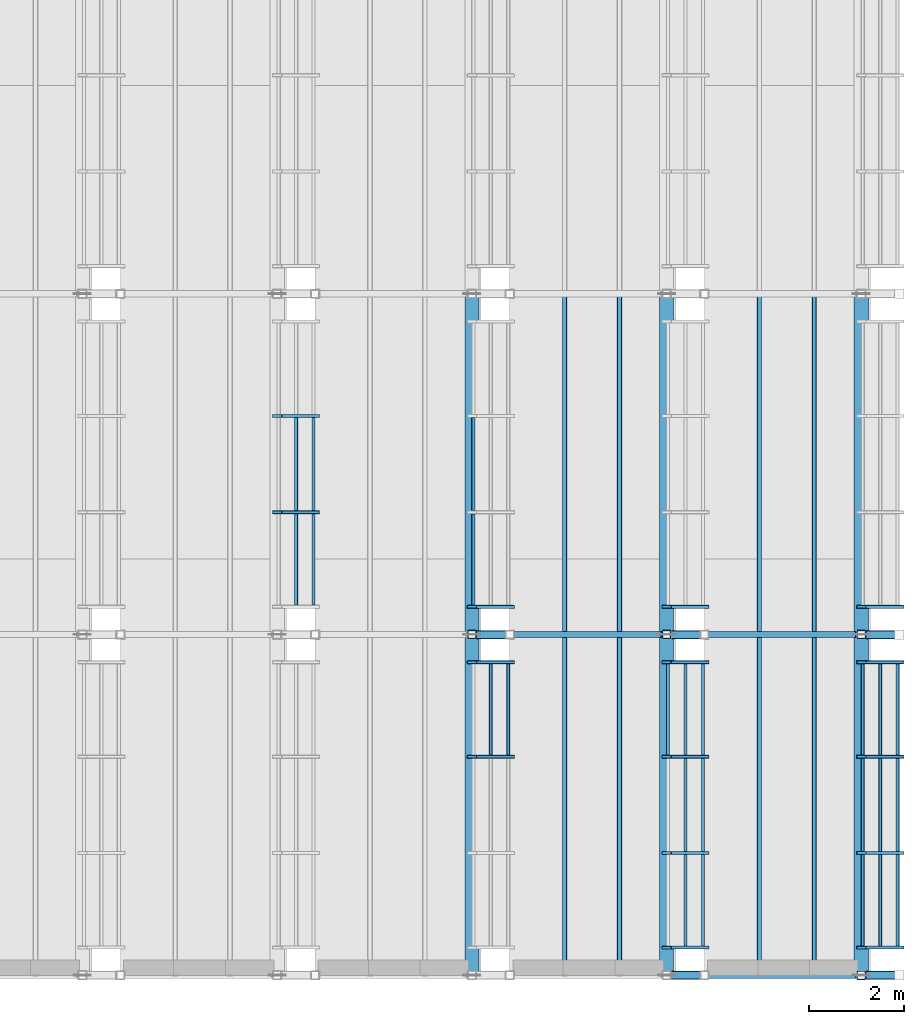
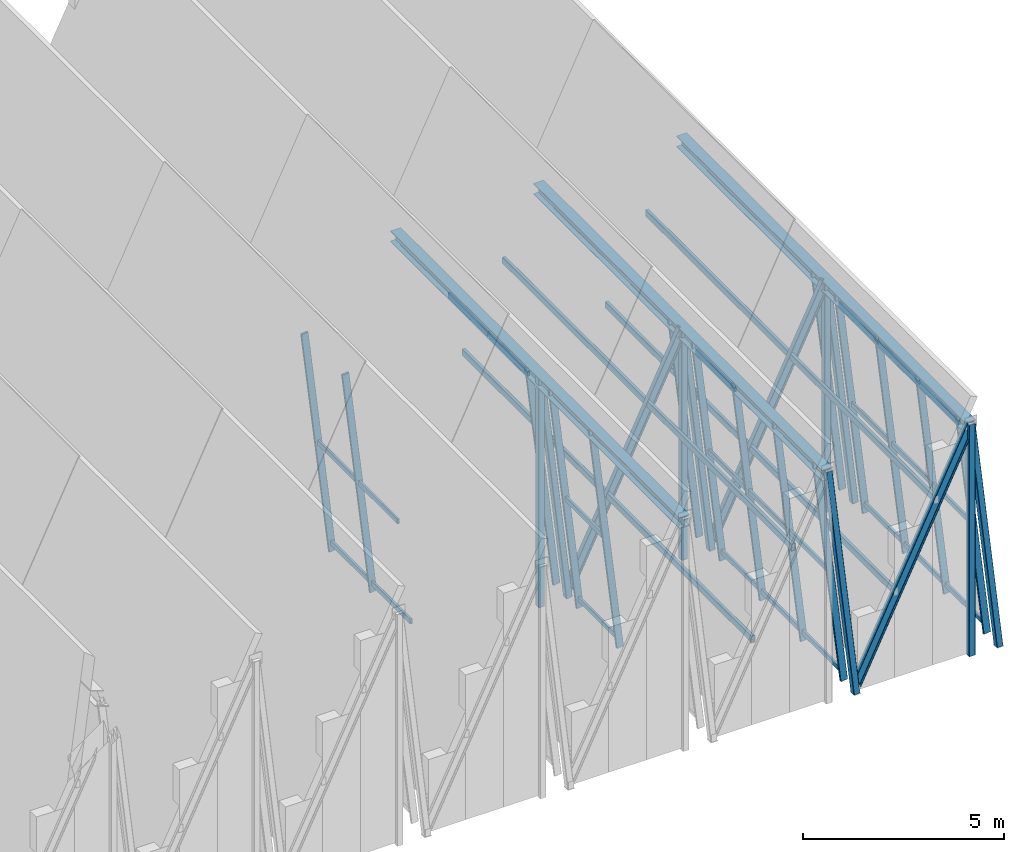
# One storey, part 4 of 28: 55 members, 3 beams, 7 elements without a shape of their own.
"""IFC4 building model written with IfcOpenShell, lengths in metres."""

from ifc_helpers import new_model, si_unit, direction, frame, origin, origin_2d, place, context, subcontext, project, spatial, hollow_rectangle, i_section, extrude, material, material_profile, profile_set, type_object, element, aggregate, save


model = new_model("IFC4")

# Units and contexts
model_context = context("Model", 3, precision=1e-05, world=origin(), true_north=direction((0.0, 1.0)))
body_context = subcontext(model_context, "Body", "Model", "MODEL_VIEW")
ifc_project = project(units=[si_unit("LENGTHUNIT", "METRE"), si_unit("AREAUNIT", "SQUARE_METRE"), si_unit("VOLUMEUNIT", "CUBIC_METRE"), si_unit("PLANEANGLEUNIT", "RADIAN"), si_unit("MASSUNIT", "GRAM", prefix="KILO")], contexts=[model_context])

# Site, building, storey
site_placement = place(None, origin())
site = spatial("IfcSite", under=ifc_project, at=site_placement, CompositionType="ELEMENT")
building_placement = place(site_placement, origin())
building = spatial("IfcBuilding", under=site, at=building_placement, Name="Bramveld Media Centre", CompositionType="ELEMENT")
storey_placement = place(building_placement, frame((0.0, 0.0, 33.89990234375)))
storey = spatial("IfcBuildingStorey", under=building, at=storey_placement, Name="ROOF", CompositionType="ELEMENT", Elevation=33.89990234375)

# Curtain wall, members
ifc_material_1 = material(Name="Thermally broken anodized bronze aluminium unitized curtain wall with solar-control triple glazing", Category="aluminium")
curtain_wall_type = type_object("IfcCurtainWallType", Name="CW-CRN-6100x6941", PredefinedType="NOTDEFINED", material=ifc_material_1)
curtain_wall_1_placement = place(storey_placement, origin())
curtain_wall_1 = element("IfcCurtainWall", 1, at=curtain_wall_1_placement, inside=storey, type_object=curtain_wall_type, Name="V7 crown clerestory B4-S2", PredefinedType="NOTDEFINED")
ifc_material_2 = material(Name="Thermally broken anodized bronze aluminium EN AW-6063 T6 curtain-wall framing", Category="aluminium")
ifc_material_profile_1 = material_profile(ifc_material_2, hollow_rectangle(XDim=0.070068359375, YDim=0.199951171875, WallThickness=0.00439453125, InnerFilletRadius=0.00439453125, OuterFilletRadius=0.009033203125, at=origin_2d()), Name="AL-MULL 70x200")
ifc_profile_set_1 = profile_set([ifc_material_profile_1], Name="Thermally broken anodized bronze aluminium EN AW-6063 T6 curtain-wall framing")
member_type_1 = type_object("IfcMemberType", Name="CW-MULL-SLP", PredefinedType="MULLION", material=ifc_profile_set_1)
member_1_placement = place(storey_placement, frame((147.656982421875, 92.9833984375, -0.02001953125), z_axis=(-0.115228868081, 0.0, 0.993338969315), x_axis=(0.0, -1.0, 0.0)))
member_1 = element("IfcMember", 2, at=member_1_placement, type_object=member_type_1, Name="CW-CR-6169 sloped mullion 2", PredefinedType="MULLION", context=body_context, shape_type="SweptSolid", body=[
    extrude(hollow_rectangle(XDim=0.070068359375, YDim=0.199951171875, WallThickness=0.00439453125, InnerFilletRadius=0.00439453125, OuterFilletRadius=0.009033203125, at=origin_2d()), origin(), (0.0, 0.0, 1.0), 6.94091796875),
])
member_2_placement = place(storey_placement, frame((147.656982421875, 95.0166015625, -0.02001953125), z_axis=(-0.115228868081, 0.0, 0.993338969315), x_axis=(0.0, -1.0, 0.0)))
member_2 = element("IfcMember", 3, at=member_2_placement, type_object=member_type_1, Name="CW-CR-6169 sloped mullion 3", PredefinedType="MULLION", context=body_context, shape_type="SweptSolid", body=[
    extrude(hollow_rectangle(XDim=0.070068359375, YDim=0.199951171875, WallThickness=0.00439453125, InnerFilletRadius=0.00439453125, OuterFilletRadius=0.009033203125, at=origin_2d()), origin(), (0.0, 0.0, 1.0), 6.94091796875),
])

curtain_wall_2_placement = place(storey_placement, origin())
curtain_wall_2 = element("IfcCurtainWall", 4, at=curtain_wall_2_placement, inside=storey, type_object=curtain_wall_type, Name="V7 crown clerestory B5-S1", PredefinedType="NOTDEFINED")
member_3_placement = place(storey_placement, frame((151.771484375, 87.816650390625, -0.02001953125), z_axis=(-0.115263574492, 0.0, 0.993334942703), x_axis=(0.0, -1.0, 0.0)))
member_3 = element("IfcMember", 5, at=member_3_placement, type_object=member_type_1, Name="CW-CR-6169 sloped mullion 3", PredefinedType="MULLION", context=body_context, shape_type="SweptSolid", body=[
    extrude(hollow_rectangle(XDim=0.070068359375, YDim=0.199951171875, WallThickness=0.00439453125, InnerFilletRadius=0.00439453125, OuterFilletRadius=0.009033203125, at=origin_2d()), origin(), (0.0, 0.0, 1.0), 6.94091796875),
])
member_4_placement = place(storey_placement, frame((151.771484375, 89.81494140625, -0.02001953125), z_axis=(-0.115263574492, 0.0, 0.993334942703), x_axis=(0.0, -1.0, 0.0)))
member_4 = element("IfcMember", 6, at=member_4_placement, type_object=member_type_1, Name="CW-CR-6169 sloped mullion 4", PredefinedType="MULLION", context=body_context, shape_type="SweptSolid", body=[
    extrude(hollow_rectangle(XDim=0.070068359375, YDim=0.199951171875, WallThickness=0.00439453125, InnerFilletRadius=0.00439453125, OuterFilletRadius=0.009033203125, at=origin_2d()), origin(), (0.0, 0.0, 1.0), 6.94091796875),
])

# Curtain wall, member
curtain_wall_3_placement = place(storey_placement, origin())
curtain_wall_3 = element("IfcCurtainWall", 7, at=curtain_wall_3_placement, inside=storey, type_object=curtain_wall_type, Name="V7 crown clerestory B5-S2", PredefinedType="NOTDEFINED")
member_5_placement = place(storey_placement, frame((151.771484375, 90.985107421875, -0.02001953125), z_axis=(-0.115263574492, 0.0, 0.993334942703), x_axis=(0.0, -1.0, 0.0)))
member_5 = element("IfcMember", 8, at=member_5_placement, type_object=member_type_1, Name="CW-CR-6169 sloped mullion 1", PredefinedType="MULLION", context=body_context, shape_type="SweptSolid", body=[
    extrude(hollow_rectangle(XDim=0.070068359375, YDim=0.199951171875, WallThickness=0.00439453125, InnerFilletRadius=0.00439453125, OuterFilletRadius=0.009033203125, at=origin_2d()), origin(), (0.0, 0.0, 1.0), 6.94091796875),
])

# Curtain wall, members
curtain_wall_4_placement = place(storey_placement, origin())
curtain_wall_4 = element("IfcCurtainWall", 9, at=curtain_wall_4_placement, inside=storey, type_object=curtain_wall_type, Name="V7 crown clerestory B6-S1", PredefinedType="NOTDEFINED")
member_6_placement = place(storey_placement, frame((155.8857421875, 83.784912109375, -0.02001953125), z_axis=(-0.115263574492, 0.0, 0.993334942703), x_axis=(0.0, -1.0, 0.0)))
member_6 = element("IfcMember", 10, at=member_6_placement, type_object=member_type_1, Name="CW-CR-6169 sloped mullion 1", PredefinedType="MULLION", context=body_context, shape_type="SweptSolid", body=[
    extrude(hollow_rectangle(XDim=0.070068359375, YDim=0.199951171875, WallThickness=0.00439453125, InnerFilletRadius=0.00439453125, OuterFilletRadius=0.009033203125, at=origin_2d()), origin(), (0.0, 0.0, 1.0), 6.94091796875),
])
member_7_placement = place(storey_placement, frame((155.8857421875, 85.783203125, -0.02001953125), z_axis=(-0.115263574492, 0.0, 0.993334942703), x_axis=(0.0, -1.0, 0.0)))
member_7 = element("IfcMember", 11, at=member_7_placement, type_object=member_type_1, Name="CW-CR-6169 sloped mullion 2", PredefinedType="MULLION", context=body_context, shape_type="SweptSolid", body=[
    extrude(hollow_rectangle(XDim=0.070068359375, YDim=0.199951171875, WallThickness=0.00439453125, InnerFilletRadius=0.00439453125, OuterFilletRadius=0.009033203125, at=origin_2d()), origin(), (0.0, 0.0, 1.0), 6.94091796875),
])
member_8_placement = place(storey_placement, frame((155.8857421875, 87.816650390625, -0.02001953125), z_axis=(-0.115263574492, 0.0, 0.993334942703), x_axis=(0.0, -1.0, 0.0)))
member_8 = element("IfcMember", 12, at=member_8_placement, type_object=member_type_1, Name="CW-CR-6169 sloped mullion 3", PredefinedType="MULLION", context=body_context, shape_type="SweptSolid", body=[
    extrude(hollow_rectangle(XDim=0.070068359375, YDim=0.199951171875, WallThickness=0.00439453125, InnerFilletRadius=0.00439453125, OuterFilletRadius=0.009033203125, at=origin_2d()), origin(), (0.0, 0.0, 1.0), 6.94091796875),
])
member_9_placement = place(storey_placement, frame((155.8857421875, 89.81494140625, -0.02001953125), z_axis=(-0.115263574492, 0.0, 0.993334942703), x_axis=(0.0, -1.0, 0.0)))
member_9 = element("IfcMember", 13, at=member_9_placement, type_object=member_type_1, Name="CW-CR-6169 sloped mullion 4", PredefinedType="MULLION", context=body_context, shape_type="SweptSolid", body=[
    extrude(hollow_rectangle(XDim=0.070068359375, YDim=0.199951171875, WallThickness=0.00439453125, InnerFilletRadius=0.00439453125, OuterFilletRadius=0.009033203125, at=origin_2d()), origin(), (0.0, 0.0, 1.0), 6.94091796875),
])

# Curtain wall, member
curtain_wall_5_placement = place(storey_placement, origin())
curtain_wall_5 = element("IfcCurtainWall", 14, at=curtain_wall_5_placement, inside=storey, type_object=curtain_wall_type, Name="V7 crown clerestory B6-S2", PredefinedType="NOTDEFINED")
member_10_placement = place(storey_placement, frame((155.8857421875, 90.985107421875, -0.02001953125), z_axis=(-0.115263574492, 0.0, 0.993334942703), x_axis=(0.0, -1.0, 0.0)))
member_10 = element("IfcMember", 15, at=member_10_placement, type_object=member_type_1, Name="CW-CR-6169 sloped mullion 1", PredefinedType="MULLION", context=body_context, shape_type="SweptSolid", body=[
    extrude(hollow_rectangle(XDim=0.070068359375, YDim=0.199951171875, WallThickness=0.00439453125, InnerFilletRadius=0.00439453125, OuterFilletRadius=0.009033203125, at=origin_2d()), origin(), (0.0, 0.0, 1.0), 6.94091796875),
])
aggregate(curtain_wall_5, [member_10])

# Curtain wall, members
curtain_wall_6_placement = place(storey_placement, origin())
curtain_wall_6 = element("IfcCurtainWall", 16, at=curtain_wall_6_placement, inside=storey, type_object=curtain_wall_type, Name="V7 crown clerestory B7-S1", PredefinedType="NOTDEFINED")
member_11_placement = place(storey_placement, frame((160.0, 83.784912109375, -0.02001953125), z_axis=(-0.115263574492, 0.0, 0.993334942703), x_axis=(0.0, -1.0, 0.0)))
member_11 = element("IfcMember", 17, at=member_11_placement, type_object=member_type_1, Name="CW-CR-6169 sloped mullion 1", PredefinedType="MULLION", context=body_context, shape_type="SweptSolid", body=[
    extrude(hollow_rectangle(XDim=0.070068359375, YDim=0.199951171875, WallThickness=0.00439453125, InnerFilletRadius=0.00439453125, OuterFilletRadius=0.009033203125, at=origin_2d()), origin(), (0.0, 0.0, 1.0), 6.94091796875),
])
member_12_placement = place(storey_placement, frame((160.0, 85.783203125, -0.02001953125), z_axis=(-0.115263574492, 0.0, 0.993334942703), x_axis=(0.0, -1.0, 0.0)))
member_12 = element("IfcMember", 18, at=member_12_placement, type_object=member_type_1, Name="CW-CR-6169 sloped mullion 2", PredefinedType="MULLION", context=body_context, shape_type="SweptSolid", body=[
    extrude(hollow_rectangle(XDim=0.070068359375, YDim=0.199951171875, WallThickness=0.00439453125, InnerFilletRadius=0.00439453125, OuterFilletRadius=0.009033203125, at=origin_2d()), origin(), (0.0, 0.0, 1.0), 6.94091796875),
])
member_13_placement = place(storey_placement, frame((160.0, 87.816650390625, -0.02001953125), z_axis=(-0.115263574492, 0.0, 0.993334942703), x_axis=(0.0, -1.0, 0.0)))
member_13 = element("IfcMember", 19, at=member_13_placement, type_object=member_type_1, Name="CW-CR-6169 sloped mullion 3", PredefinedType="MULLION", context=body_context, shape_type="SweptSolid", body=[
    extrude(hollow_rectangle(XDim=0.070068359375, YDim=0.199951171875, WallThickness=0.00439453125, InnerFilletRadius=0.00439453125, OuterFilletRadius=0.009033203125, at=origin_2d()), origin(), (0.0, 0.0, 1.0), 6.94091796875),
])
member_14_placement = place(storey_placement, frame((160.0, 89.81494140625, -0.02001953125), z_axis=(-0.115263574492, 0.0, 0.993334942703), x_axis=(0.0, -1.0, 0.0)))
member_14 = element("IfcMember", 20, at=member_14_placement, type_object=member_type_1, Name="CW-CR-6169 sloped mullion 4", PredefinedType="MULLION", context=body_context, shape_type="SweptSolid", body=[
    extrude(hollow_rectangle(XDim=0.070068359375, YDim=0.199951171875, WallThickness=0.00439453125, InnerFilletRadius=0.00439453125, OuterFilletRadius=0.009033203125, at=origin_2d()), origin(), (0.0, 0.0, 1.0), 6.94091796875),
])

# Curtain wall, member
curtain_wall_7_placement = place(storey_placement, origin())
curtain_wall_7 = element("IfcCurtainWall", 21, at=curtain_wall_7_placement, inside=storey, type_object=curtain_wall_type, Name="V7 crown clerestory B7-S2", PredefinedType="NOTDEFINED")
member_15_placement = place(storey_placement, frame((160.0, 90.985107421875, -0.02001953125), z_axis=(-0.115263574492, 0.0, 0.993334942703), x_axis=(0.0, -1.0, 0.0)))
member_15 = element("IfcMember", 22, at=member_15_placement, type_object=member_type_1, Name="CW-CR-6169 sloped mullion 1", PredefinedType="MULLION", context=body_context, shape_type="SweptSolid", body=[
    extrude(hollow_rectangle(XDim=0.070068359375, YDim=0.199951171875, WallThickness=0.00439453125, InnerFilletRadius=0.00439453125, OuterFilletRadius=0.009033203125, at=origin_2d()), origin(), (0.0, 0.0, 1.0), 6.94091796875),
])
aggregate(curtain_wall_7, [member_15])

# Member
ifc_material_3 = material(Name="Thermally broken anodized bronze aluminium EN AW-6063 T6 curtain-wall framing", Category="aluminium")
ifc_material_profile_2 = material_profile(ifc_material_3, hollow_rectangle(XDim=0.070068359375, YDim=0.14990234375, WallThickness=0.00390625, InnerFilletRadius=0.00390625, OuterFilletRadius=0.008056640625, at=origin_2d()), Name="AL-TRAN 70x150")
ifc_profile_set_2 = profile_set([ifc_material_profile_2], Name="Thermally broken anodized bronze aluminium EN AW-6063 T6 curtain-wall framing")
member_type_2 = type_object("IfcMemberType", Name="CW-TRAN-SLP", PredefinedType="USERDEFINED", material=ifc_profile_set_2)
member_16_placement = place(storey_placement, frame((147.625, 91.02001953125, 0.255859375), z_axis=(0.0, 1.0, 0.0), x_axis=(-1.0, 0.0, 0.0)))
member_16 = element("IfcMember", 23, at=member_16_placement, type_object=member_type_2, Name="CW-CR-6169 transom 1.1", ObjectType="TRANSOM", PredefinedType="USERDEFINED", context=body_context, shape_type="SweptSolid", body=[
    extrude(hollow_rectangle(XDim=0.070068359375, YDim=0.14990234375, WallThickness=0.00390625, InnerFilletRadius=0.00390625, OuterFilletRadius=0.008056640625, at=origin_2d()), origin(), (0.0, 0.0, 1.0), 1.92822265625),
])

member_17_placement = place(storey_placement, frame((147.257080078125, 91.02001953125, 3.427490234375), z_axis=(0.0, 1.0, 0.0), x_axis=(-1.0, 0.0, 0.0)))
member_17 = element("IfcMember", 24, at=member_17_placement, type_object=member_type_2, Name="CW-CR-6169 transom 1.2", ObjectType="TRANSOM", PredefinedType="USERDEFINED", context=body_context, shape_type="SweptSolid", body=[
    extrude(hollow_rectangle(XDim=0.070068359375, YDim=0.14990234375, WallThickness=0.00390625, InnerFilletRadius=0.00390625, OuterFilletRadius=0.008056640625, at=origin_2d()), origin(), (0.0, 0.0, 1.0), 1.92822265625),
])

member_18_placement = place(storey_placement, frame((147.625, 93.018310546875, 0.255859375), z_axis=(0.0, 1.0, 0.0), x_axis=(-1.0, 0.0, 0.0)))
member_18 = element("IfcMember", 25, at=member_18_placement, type_object=member_type_2, Name="CW-CR-6169 transom 2.1", ObjectType="TRANSOM", PredefinedType="USERDEFINED", context=body_context, shape_type="SweptSolid", body=[
    extrude(hollow_rectangle(XDim=0.070068359375, YDim=0.14990234375, WallThickness=0.00390625, InnerFilletRadius=0.00390625, OuterFilletRadius=0.008056640625, at=origin_2d()), origin(), (0.0, 0.0, 1.0), 1.96337890625),
])

member_19_placement = place(storey_placement, frame((147.257080078125, 93.018310546875, 3.427490234375), z_axis=(0.0, 1.0, 0.0), x_axis=(-1.0, 0.0, 0.0)))
member_19 = element("IfcMember", 26, at=member_19_placement, type_object=member_type_2, Name="CW-CR-6169 transom 2.2", ObjectType="TRANSOM", PredefinedType="USERDEFINED", context=body_context, shape_type="SweptSolid", body=[
    extrude(hollow_rectangle(XDim=0.070068359375, YDim=0.14990234375, WallThickness=0.00390625, InnerFilletRadius=0.00390625, OuterFilletRadius=0.008056640625, at=origin_2d()), origin(), (0.0, 0.0, 1.0), 1.96337890625),
])

aggregate(curtain_wall_1, [member_1, member_2, member_16, member_17, member_18, member_19])

member_20_placement = place(storey_placement, frame((151.739501953125, 87.851806640625, 0.255859375), z_axis=(0.0, 1.0, 0.0), x_axis=(-1.0, 0.0, 0.0)))
member_20 = element("IfcMember", 27, at=member_20_placement, type_object=member_type_2, Name="CW-CR-6169 transom 3.1", ObjectType="TRANSOM", PredefinedType="USERDEFINED", context=body_context, shape_type="SweptSolid", body=[
    extrude(hollow_rectangle(XDim=0.070068359375, YDim=0.14990234375, WallThickness=0.00390625, InnerFilletRadius=0.00390625, OuterFilletRadius=0.008056640625, at=origin_2d()), origin(), (0.0, 0.0, 1.0), 1.92822265625),
])

member_21_placement = place(storey_placement, frame((151.371337890625, 87.851806640625, 3.427490234375), z_axis=(0.0, 1.0, 0.0), x_axis=(-1.0, 0.0, 0.0)))
member_21 = element("IfcMember", 28, at=member_21_placement, type_object=member_type_2, Name="CW-CR-6169 transom 3.2", ObjectType="TRANSOM", PredefinedType="USERDEFINED", context=body_context, shape_type="SweptSolid", body=[
    extrude(hollow_rectangle(XDim=0.070068359375, YDim=0.14990234375, WallThickness=0.00390625, InnerFilletRadius=0.00390625, OuterFilletRadius=0.008056640625, at=origin_2d()), origin(), (0.0, 0.0, 1.0), 1.92822265625),
])

aggregate(curtain_wall_2, [member_3, member_4, member_20, member_21])

member_22_placement = place(storey_placement, frame((151.00341796875, 91.02001953125, 6.598876953125), z_axis=(0.0, 1.0, 0.0), x_axis=(-1.0, 0.0, 0.0)))
member_22 = element("IfcMember", 29, at=member_22_placement, type_object=member_type_2, Name="CW-CR-6169 transom 1.3", ObjectType="TRANSOM", PredefinedType="USERDEFINED", context=body_context, shape_type="SweptSolid", body=[
    extrude(hollow_rectangle(XDim=0.070068359375, YDim=0.14990234375, WallThickness=0.00390625, InnerFilletRadius=0.00390625, OuterFilletRadius=0.008056640625, at=origin_2d()), origin(), (0.0, 0.0, 1.0), 1.92822265625),
])

member_23_placement = place(storey_placement, frame((151.00341796875, 93.018310546875, 6.598876953125), z_axis=(0.0, 1.0, 0.0), x_axis=(-1.0, 0.0, 0.0)))
member_23 = element("IfcMember", 30, at=member_23_placement, type_object=member_type_2, Name="CW-CR-6169 transom 2.3", ObjectType="TRANSOM", PredefinedType="USERDEFINED", context=body_context, shape_type="SweptSolid", body=[
    extrude(hollow_rectangle(XDim=0.070068359375, YDim=0.14990234375, WallThickness=0.00390625, InnerFilletRadius=0.00390625, OuterFilletRadius=0.008056640625, at=origin_2d()), origin(), (0.0, 0.0, 1.0), 1.96337890625),
])

aggregate(curtain_wall_3, [member_5, member_22, member_23])

member_24_placement = place(storey_placement, frame((155.853759765625, 83.820068359375, 0.255859375), z_axis=(0.0, 1.0, 0.0), x_axis=(-1.0, 0.0, 0.0)))
member_24 = element("IfcMember", 31, at=member_24_placement, type_object=member_type_2, Name="CW-CR-6169 transom 1.1", ObjectType="TRANSOM", PredefinedType="USERDEFINED", context=body_context, shape_type="SweptSolid", body=[
    extrude(hollow_rectangle(XDim=0.070068359375, YDim=0.14990234375, WallThickness=0.00390625, InnerFilletRadius=0.00390625, OuterFilletRadius=0.008056640625, at=origin_2d()), origin(), (0.0, 0.0, 1.0), 1.92822265625),
])

member_25_placement = place(storey_placement, frame((155.485595703125, 83.820068359375, 3.427490234375), z_axis=(0.0, 1.0, 0.0), x_axis=(-1.0, 0.0, 0.0)))
member_25 = element("IfcMember", 32, at=member_25_placement, type_object=member_type_2, Name="CW-CR-6169 transom 1.2", ObjectType="TRANSOM", PredefinedType="USERDEFINED", context=body_context, shape_type="SweptSolid", body=[
    extrude(hollow_rectangle(XDim=0.070068359375, YDim=0.14990234375, WallThickness=0.00390625, InnerFilletRadius=0.00390625, OuterFilletRadius=0.008056640625, at=origin_2d()), origin(), (0.0, 0.0, 1.0), 1.92822265625),
])

member_26_placement = place(storey_placement, frame((155.853759765625, 85.818359375, 0.255859375), z_axis=(0.0, 1.0, 0.0), x_axis=(-1.0, 0.0, 0.0)))
member_26 = element("IfcMember", 33, at=member_26_placement, type_object=member_type_2, Name="CW-CR-6169 transom 2.1", ObjectType="TRANSOM", PredefinedType="USERDEFINED", context=body_context, shape_type="SweptSolid", body=[
    extrude(hollow_rectangle(XDim=0.070068359375, YDim=0.14990234375, WallThickness=0.00390625, InnerFilletRadius=0.00390625, OuterFilletRadius=0.008056640625, at=origin_2d()), origin(), (0.0, 0.0, 1.0), 1.96337890625),
])

member_27_placement = place(storey_placement, frame((155.485595703125, 85.818359375, 3.427490234375), z_axis=(0.0, 1.0, 0.0), x_axis=(-1.0, 0.0, 0.0)))
member_27 = element("IfcMember", 34, at=member_27_placement, type_object=member_type_2, Name="CW-CR-6169 transom 2.2", ObjectType="TRANSOM", PredefinedType="USERDEFINED", context=body_context, shape_type="SweptSolid", body=[
    extrude(hollow_rectangle(XDim=0.070068359375, YDim=0.14990234375, WallThickness=0.00390625, InnerFilletRadius=0.00390625, OuterFilletRadius=0.008056640625, at=origin_2d()), origin(), (0.0, 0.0, 1.0), 1.96337890625),
])

member_28_placement = place(storey_placement, frame((155.853759765625, 87.851806640625, 0.255859375), z_axis=(0.0, 1.0, 0.0), x_axis=(-1.0, 0.0, 0.0)))
member_28 = element("IfcMember", 35, at=member_28_placement, type_object=member_type_2, Name="CW-CR-6169 transom 3.1", ObjectType="TRANSOM", PredefinedType="USERDEFINED", context=body_context, shape_type="SweptSolid", body=[
    extrude(hollow_rectangle(XDim=0.070068359375, YDim=0.14990234375, WallThickness=0.00390625, InnerFilletRadius=0.00390625, OuterFilletRadius=0.008056640625, at=origin_2d()), origin(), (0.0, 0.0, 1.0), 1.92822265625),
])

member_29_placement = place(storey_placement, frame((155.485595703125, 87.851806640625, 3.427490234375), z_axis=(0.0, 1.0, 0.0), x_axis=(-1.0, 0.0, 0.0)))
member_29 = element("IfcMember", 36, at=member_29_placement, type_object=member_type_2, Name="CW-CR-6169 transom 3.2", ObjectType="TRANSOM", PredefinedType="USERDEFINED", context=body_context, shape_type="SweptSolid", body=[
    extrude(hollow_rectangle(XDim=0.070068359375, YDim=0.14990234375, WallThickness=0.00390625, InnerFilletRadius=0.00390625, OuterFilletRadius=0.008056640625, at=origin_2d()), origin(), (0.0, 0.0, 1.0), 1.92822265625),
])

member_30_placement = place(storey_placement, frame((155.11767578125, 87.851806640625, 6.598876953125), z_axis=(0.0, 1.0, 0.0), x_axis=(-1.0, 0.0, 0.0)))
member_30 = element("IfcMember", 37, at=member_30_placement, type_object=member_type_2, Name="CW-CR-6169 transom 3.3", ObjectType="TRANSOM", PredefinedType="USERDEFINED", context=body_context, shape_type="SweptSolid", body=[
    extrude(hollow_rectangle(XDim=0.070068359375, YDim=0.14990234375, WallThickness=0.00390625, InnerFilletRadius=0.00390625, OuterFilletRadius=0.008056640625, at=origin_2d()), origin(), (0.0, 0.0, 1.0), 1.92822265625),
])

aggregate(curtain_wall_4, [member_6, member_7, member_8, member_9, member_24, member_25, member_26, member_27, member_28, member_29, member_30])

member_31_placement = place(storey_placement, frame((159.968017578125, 83.820068359375, 0.255859375), z_axis=(0.0, 1.0, 0.0), x_axis=(-1.0, 0.0, 0.0)))
member_31 = element("IfcMember", 38, at=member_31_placement, type_object=member_type_2, Name="CW-CR-6169 transom 1.1", ObjectType="TRANSOM", PredefinedType="USERDEFINED", context=body_context, shape_type="SweptSolid", body=[
    extrude(hollow_rectangle(XDim=0.070068359375, YDim=0.14990234375, WallThickness=0.00390625, InnerFilletRadius=0.00390625, OuterFilletRadius=0.008056640625, at=origin_2d()), origin(), (0.0, 0.0, 1.0), 1.92822265625),
])

member_32_placement = place(storey_placement, frame((159.60009765625, 83.820068359375, 3.427490234375), z_axis=(0.0, 1.0, 0.0), x_axis=(-1.0, 0.0, 0.0)))
member_32 = element("IfcMember", 39, at=member_32_placement, type_object=member_type_2, Name="CW-CR-6169 transom 1.2", ObjectType="TRANSOM", PredefinedType="USERDEFINED", context=body_context, shape_type="SweptSolid", body=[
    extrude(hollow_rectangle(XDim=0.070068359375, YDim=0.14990234375, WallThickness=0.00390625, InnerFilletRadius=0.00390625, OuterFilletRadius=0.008056640625, at=origin_2d()), origin(), (0.0, 0.0, 1.0), 1.92822265625),
])

member_33_placement = place(storey_placement, frame((159.23193359375, 83.820068359375, 6.598876953125), z_axis=(0.0, 1.0, 0.0), x_axis=(-1.0, 0.0, 0.0)))
member_33 = element("IfcMember", 40, at=member_33_placement, type_object=member_type_2, Name="CW-CR-6169 transom 1.3", ObjectType="TRANSOM", PredefinedType="USERDEFINED", context=body_context, shape_type="SweptSolid", body=[
    extrude(hollow_rectangle(XDim=0.070068359375, YDim=0.14990234375, WallThickness=0.00390625, InnerFilletRadius=0.00390625, OuterFilletRadius=0.008056640625, at=origin_2d()), origin(), (0.0, 0.0, 1.0), 1.92822265625),
])

member_34_placement = place(storey_placement, frame((159.968017578125, 85.818359375, 0.255859375), z_axis=(0.0, 1.0, 0.0), x_axis=(-1.0, 0.0, 0.0)))
member_34 = element("IfcMember", 41, at=member_34_placement, type_object=member_type_2, Name="CW-CR-6169 transom 2.1", ObjectType="TRANSOM", PredefinedType="USERDEFINED", context=body_context, shape_type="SweptSolid", body=[
    extrude(hollow_rectangle(XDim=0.070068359375, YDim=0.14990234375, WallThickness=0.00390625, InnerFilletRadius=0.00390625, OuterFilletRadius=0.008056640625, at=origin_2d()), origin(), (0.0, 0.0, 1.0), 1.96337890625),
])

member_35_placement = place(storey_placement, frame((159.60009765625, 85.818359375, 3.427490234375), z_axis=(0.0, 1.0, 0.0), x_axis=(-1.0, 0.0, 0.0)))
member_35 = element("IfcMember", 42, at=member_35_placement, type_object=member_type_2, Name="CW-CR-6169 transom 2.2", ObjectType="TRANSOM", PredefinedType="USERDEFINED", context=body_context, shape_type="SweptSolid", body=[
    extrude(hollow_rectangle(XDim=0.070068359375, YDim=0.14990234375, WallThickness=0.00390625, InnerFilletRadius=0.00390625, OuterFilletRadius=0.008056640625, at=origin_2d()), origin(), (0.0, 0.0, 1.0), 1.96337890625),
])

member_36_placement = place(storey_placement, frame((159.23193359375, 85.818359375, 6.598876953125), z_axis=(0.0, 1.0, 0.0), x_axis=(-1.0, 0.0, 0.0)))
member_36 = element("IfcMember", 43, at=member_36_placement, type_object=member_type_2, Name="CW-CR-6169 transom 2.3", ObjectType="TRANSOM", PredefinedType="USERDEFINED", context=body_context, shape_type="SweptSolid", body=[
    extrude(hollow_rectangle(XDim=0.070068359375, YDim=0.14990234375, WallThickness=0.00390625, InnerFilletRadius=0.00390625, OuterFilletRadius=0.008056640625, at=origin_2d()), origin(), (0.0, 0.0, 1.0), 1.96337890625),
])

member_37_placement = place(storey_placement, frame((159.968017578125, 87.851806640625, 0.255859375), z_axis=(0.0, 1.0, 0.0), x_axis=(-1.0, 0.0, 0.0)))
member_37 = element("IfcMember", 44, at=member_37_placement, type_object=member_type_2, Name="CW-CR-6169 transom 3.1", ObjectType="TRANSOM", PredefinedType="USERDEFINED", context=body_context, shape_type="SweptSolid", body=[
    extrude(hollow_rectangle(XDim=0.070068359375, YDim=0.14990234375, WallThickness=0.00390625, InnerFilletRadius=0.00390625, OuterFilletRadius=0.008056640625, at=origin_2d()), origin(), (0.0, 0.0, 1.0), 1.92822265625),
])

member_38_placement = place(storey_placement, frame((159.60009765625, 87.851806640625, 3.427490234375), z_axis=(0.0, 1.0, 0.0), x_axis=(-1.0, 0.0, 0.0)))
member_38 = element("IfcMember", 45, at=member_38_placement, type_object=member_type_2, Name="CW-CR-6169 transom 3.2", ObjectType="TRANSOM", PredefinedType="USERDEFINED", context=body_context, shape_type="SweptSolid", body=[
    extrude(hollow_rectangle(XDim=0.070068359375, YDim=0.14990234375, WallThickness=0.00390625, InnerFilletRadius=0.00390625, OuterFilletRadius=0.008056640625, at=origin_2d()), origin(), (0.0, 0.0, 1.0), 1.92822265625),
])

member_39_placement = place(storey_placement, frame((159.23193359375, 87.851806640625, 6.598876953125), z_axis=(0.0, 1.0, 0.0), x_axis=(-1.0, 0.0, 0.0)))
member_39 = element("IfcMember", 46, at=member_39_placement, type_object=member_type_2, Name="CW-CR-6169 transom 3.3", ObjectType="TRANSOM", PredefinedType="USERDEFINED", context=body_context, shape_type="SweptSolid", body=[
    extrude(hollow_rectangle(XDim=0.070068359375, YDim=0.14990234375, WallThickness=0.00390625, InnerFilletRadius=0.00390625, OuterFilletRadius=0.008056640625, at=origin_2d()), origin(), (0.0, 0.0, 1.0), 1.92822265625),
])

aggregate(curtain_wall_6, [member_11, member_12, member_13, member_14, member_31, member_32, member_33, member_34, member_35, member_36, member_37, member_38, member_39])

# Members
ifc_material_4 = material(Name="Steel S355J2H", Category="steel")
ifc_material_profile_3 = material_profile(ifc_material_4, hollow_rectangle(XDim=0.179931640625, YDim=0.179931640625, WallThickness=0.010009765625, InnerFilletRadius=0.010009765625, OuterFilletRadius=0.02001953125, at=origin_2d()), Name="SHS 180x180x10")
ifc_profile_set_3 = profile_set([ifc_material_profile_3], Name="Steel S355J2H")
member_type_3 = type_object("IfcMemberType", Name="MEM-POST-SHS180", PredefinedType="POST", material=ifc_profile_set_3)
for number, where, z_axis, x_axis, name in (
    (47, (150.971435546875, 90.39990234375, -0.0498046875), (0.0, 0.0, 1.0), (1.0, 0.0, 0.0), "CRN-FR-B05-F2 gable kingpost"),
    (48, (155.085693359375, 90.39990234375, -0.0498046875), (0.0, 0.0, 1.0), (1.0, 0.0, 0.0), "CRN-FR-B06-F2 gable kingpost"),
    (49, (159.199951171875, 83.199951171875, -0.0498046875), (0.0, 0.0, 1.0), (1.0, 0.0, 0.0), "CRN-FR-B07-F1 gable kingpost"),
    (50, (159.199951171875, 90.39990234375, -0.0498046875), (0.0, 0.0, 1.0), (1.0, 0.0, 0.0), "CRN-FR-B07-F2 gable kingpost"),
):
    element("IfcMember", number, at=place(storey_placement, frame(where, z_axis=z_axis, x_axis=x_axis)), inside=storey, type_object=member_type_3, Name=name, PredefinedType="POST", context=body_context, shape_type="SweptSolid", body=[
        extrude(hollow_rectangle(XDim=0.179931640625, YDim=0.179931640625, WallThickness=0.010009765625, InnerFilletRadius=0.010009765625, OuterFilletRadius=0.02001953125, at=origin_2d()), origin(), (0.0, 0.0, 1.0), 7.044677734375),
    ])
ifc_material_5 = material(Name="Steel S355J2H", Category="steel")
ifc_material_profile_4 = material_profile(ifc_material_5, hollow_rectangle(XDim=0.10009765625, YDim=0.199951171875, WallThickness=0.008056640625, InnerFilletRadius=0.008056640625, OuterFilletRadius=0.01611328125, at=origin_2d()), Name="RHS 200x100x8")
ifc_profile_set_4 = profile_set([ifc_material_profile_4], Name="Steel S355J2H")
member_type_4 = type_object("IfcMemberType", Name="MEM-PURLIN-RHS200", PredefinedType="PURLIN", material=ifc_profile_set_4)
for number, where, z_axis, x_axis, name in (
    (51, (152.931396484375, 83.199951171875, 2.61083984375), (0.0, 1.0, 0.0), (-1.0, 0.0, 0.0), "V7 crown gable purlin"),
    (52, (154.09130859375, 83.199951171875, 4.997802734375), (0.0, 1.0, 0.0), (-1.0, 0.0, 0.0), "V7 crown gable purlin"),
    (53, (157.045654296875, 83.199951171875, 2.61083984375), (0.0, 1.0, 0.0), (-1.0, 0.0, 0.0), "V7 crown gable purlin"),
    (54, (158.205810546875, 83.199951171875, 4.997802734375), (0.0, 1.0, 0.0), (-1.0, 0.0, 0.0), "V7 crown gable purlin"),
):
    element("IfcMember", number, at=place(storey_placement, frame(where, z_axis=z_axis, x_axis=x_axis)), inside=storey, type_object=member_type_4, Name=name, PredefinedType="PURLIN", context=body_context, shape_type="SweptSolid", body=[
        extrude(hollow_rectangle(XDim=0.10009765625, YDim=0.199951171875, WallThickness=0.008056640625, InnerFilletRadius=0.008056640625, OuterFilletRadius=0.01611328125, at=origin_2d()), origin(), (0.0, 0.0, 1.0), 14.400146484375),
    ])
ifc_material_6 = material(Name="Steel S355J2", Category="steel")
ifc_material_profile_5 = material_profile(ifc_material_6, i_section(OverallWidth=0.135009765625, OverallDepth=0.27001953125, WebThickness=0.006591796875, FlangeThickness=0.01025390625, FilletRadius=0.014892578125, at=origin_2d()), Name="IPE 270")
ifc_profile_set_5 = profile_set([ifc_material_profile_5], Name="Steel S355J2")
member_type_5 = type_object("IfcMemberType", Name="MEM-RAFTER-IPE270", PredefinedType="RAFTER", material=ifc_profile_set_5)
for number, where, z_axis, x_axis, name in (
    (55, (151.771484375, 90.39990234375, 0.1748046875), (0.437075147934, 0.0, 0.899424991347), (0.0, 1.0, 0.0), "CRN-FR-B06-F2 gable rafter"),
    (56, (155.8857421875, 83.199951171875, 0.1748046875), (0.437075147934, 0.0, 0.899424991347), (0.0, 1.0, 0.0), "CRN-FR-B07-F1 gable rafter"),
    (57, (155.8857421875, 90.39990234375, 0.1748046875), (0.437075147934, 0.0, 0.899424991347), (0.0, 1.0, 0.0), "CRN-FR-B07-F2 gable rafter"),
):
    element("IfcMember", number, at=place(storey_placement, frame(where, z_axis=z_axis, x_axis=x_axis)), inside=storey, type_object=member_type_5, Name=name, PredefinedType="RAFTER", context=body_context, shape_type="SweptSolid", body=[
        extrude(i_section(OverallWidth=0.135009765625, OverallDepth=0.27001953125, WebThickness=0.006591796875, FlangeThickness=0.01025390625, FilletRadius=0.014892578125, at=origin_2d()), origin(), (0.0, 0.0, 1.0), 7.582763671875),
    ])
ifc_material_7 = material(Name="Steel S355J2H", Category="steel")
ifc_material_profile_6 = material_profile(ifc_material_7, hollow_rectangle(XDim=0.179931640625, YDim=0.179931640625, WallThickness=0.010009765625, InnerFilletRadius=0.010009765625, OuterFilletRadius=0.02001953125, at=origin_2d()), Name="SHS 180x180x10")
ifc_profile_set_6 = profile_set([ifc_material_profile_6], Name="Steel S355J2H")
member_type_6 = type_object("IfcMemberType", Name="MEM-STRUT-SHS180", PredefinedType="STRUT", material=ifc_profile_set_6)
for number, where, z_axis, x_axis, name in (
    (58, (151.771484375, 90.39990234375, -0.0498046875), (-0.112842469029, 0.0, 0.993612891011), (0.0, -1.0, 0.0), "CRN-FR-B05-F2 gable strut"),
    (59, (155.8857421875, 83.199951171875, -0.0498046875), (-0.112842469029, 0.0, 0.993612891011), (0.0, -1.0, 0.0), "CRN-FR-B06-F1 gable strut"),
    (60, (155.8857421875, 90.39990234375, -0.0498046875), (-0.112842469029, 0.0, 0.993612891011), (0.0, -1.0, 0.0), "CRN-FR-B06-F2 gable strut"),
    (61, (160.0, 83.199951171875, -0.0498046875), (-0.112842469029, 0.0, 0.993612891011), (0.0, -1.0, 0.0), "CRN-FR-B07-F1 gable strut"),
    (62, (160.0, 90.39990234375, -0.0498046875), (-0.112842469029, 0.0, 0.993612891011), (0.0, -1.0, 0.0), "CRN-FR-B07-F2 gable strut"),
):
    element("IfcMember", number, at=place(storey_placement, frame(where, z_axis=z_axis, x_axis=x_axis)), inside=storey, type_object=member_type_6, Name=name, PredefinedType="STRUT", context=body_context, shape_type="SweptSolid", body=[
        extrude(hollow_rectangle(XDim=0.179931640625, YDim=0.179931640625, WallThickness=0.010009765625, InnerFilletRadius=0.010009765625, OuterFilletRadius=0.02001953125, at=origin_2d()), origin(), (0.0, 0.0, 1.0), 7.08984375),
    ])

# Beams
ifc_material_8 = material(Name="Steel S355J2", Category="steel")
ifc_material_profile_7 = material_profile(ifc_material_8, i_section(OverallWidth=0.300048828125, OverallDepth=0.330078125, WebThickness=0.009521484375, FlangeThickness=0.0166015625, FilletRadius=0.027099609375, at=origin_2d()), Name="HEA 340")
ifc_profile_set_7 = profile_set([ifc_material_profile_7], Name="Steel S355J2")
beam_type = type_object("IfcBeamType", Name="SBM-INT-HEA-340", PredefinedType="BEAM", material=ifc_profile_set_7)
for number, where, z_axis, x_axis, name in (
    (63, (150.971435546875, 83.199951171875, 6.85986328125), (0.0, 1.0, 0.0), (-1.0, 0.0, 0.0), "V7 crown ridge tie beam"),
    (64, (155.085693359375, 83.199951171875, 6.85986328125), (0.0, 1.0, 0.0), (-1.0, 0.0, 0.0), "V7 crown ridge tie beam"),
    (65, (159.199951171875, 83.199951171875, 6.85986328125), (0.0, 1.0, 0.0), (-1.0, 0.0, 0.0), "V7 crown ridge tie beam"),
):
    element("IfcBeam", number, at=place(storey_placement, frame(where, z_axis=z_axis, x_axis=x_axis)), inside=storey, type_object=beam_type, Name=name, PredefinedType="BEAM", context=body_context, shape_type="SweptSolid", body=[
        extrude(i_section(OverallWidth=0.300048828125, OverallDepth=0.330078125, WebThickness=0.009521484375, FlangeThickness=0.0166015625, FilletRadius=0.027099609375, at=origin_2d()), origin(), (0.0, 0.0, 1.0), 14.400146484375),
    ])

save(model, "model.ifc")
